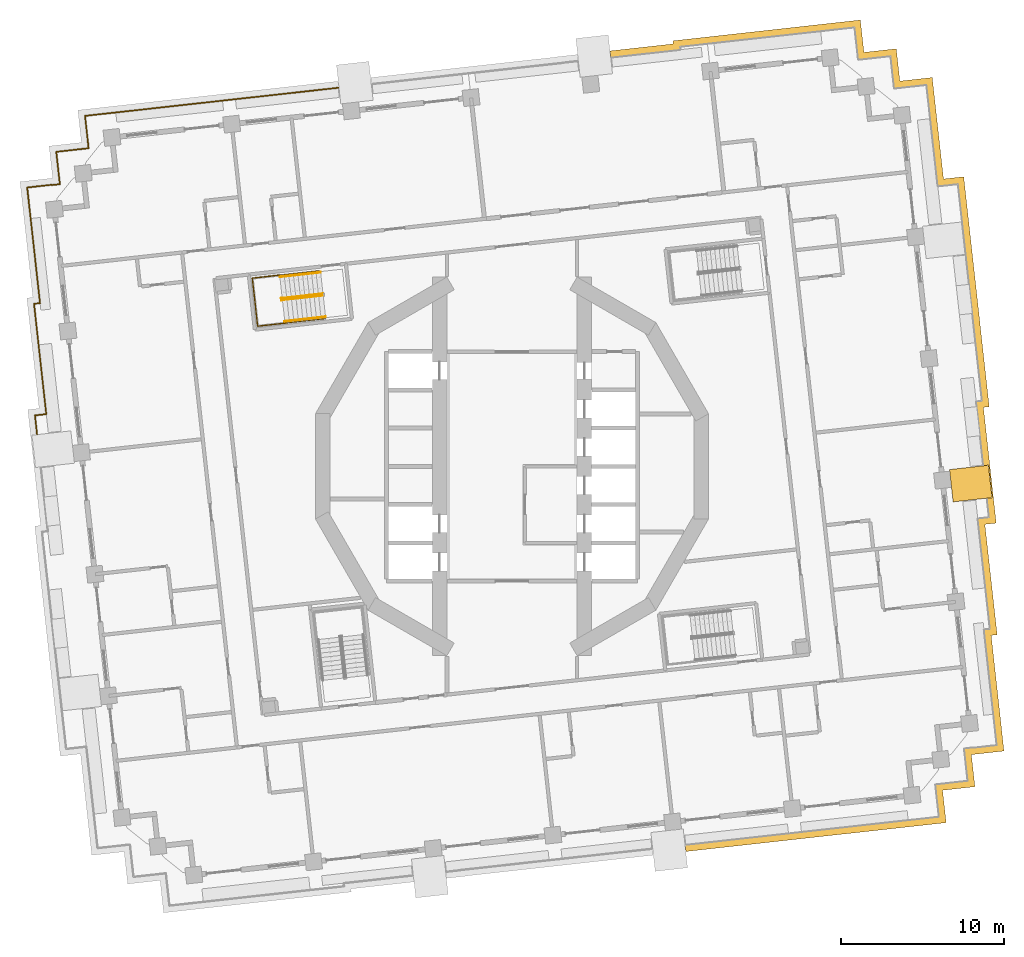
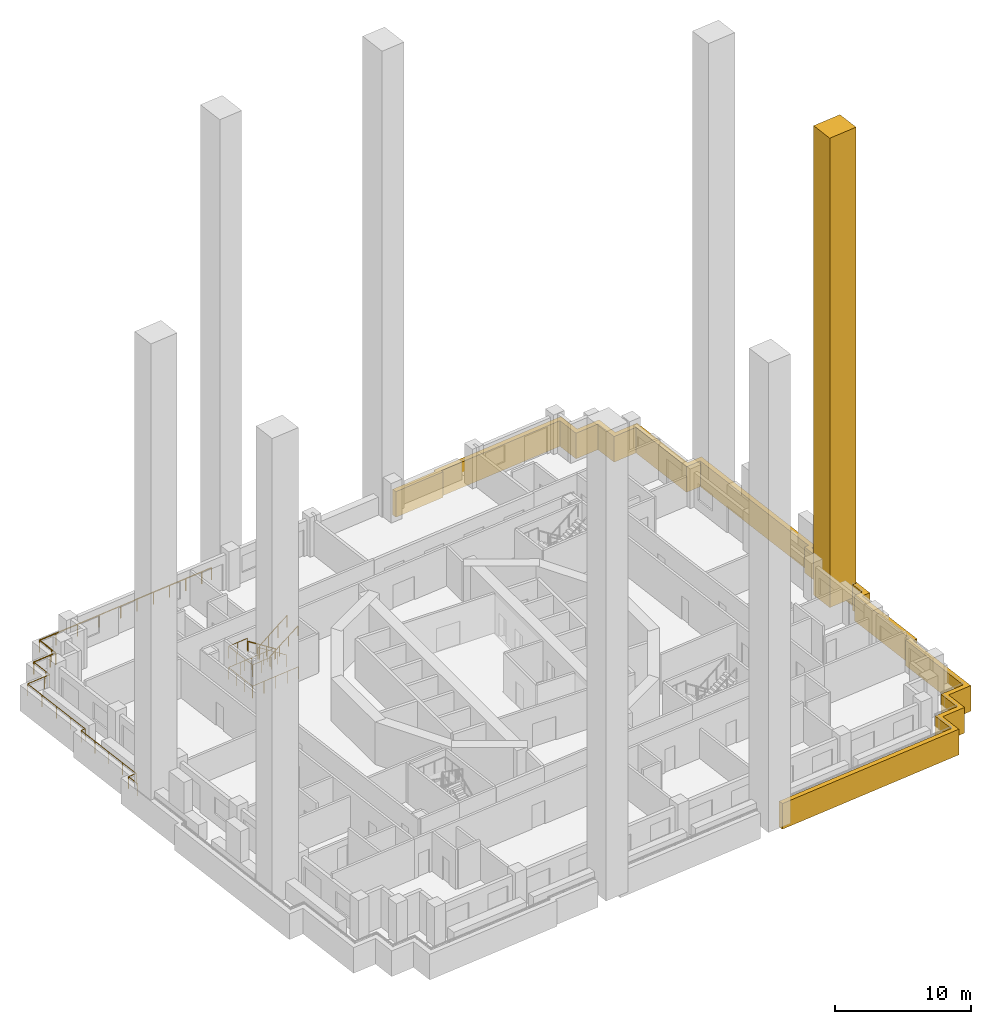
# One storey, part 15 of 20: 8 railings, 2 coverings.
"""IFC4 building model written with IfcOpenShell, lengths in metres."""

from ifc_helpers import new_model, si_unit, direction, frame, origin, origin_2d, place, context, subcontext, project, spatial, polyline, rectangle, circle, outline, extrude, material, type_object, element, save


model = new_model("IFC4")

# Units and contexts
model_context = context("Model", 3, precision=1e-05, world=origin(), true_north=direction((0.0, 1.0)))
body_context = subcontext(model_context, "Body", "Model", "MODEL_VIEW")
ifc_project = project(units=[si_unit("LENGTHUNIT", "METRE"), si_unit("AREAUNIT", "SQUARE_METRE"), si_unit("VOLUMEUNIT", "CUBIC_METRE"), si_unit("PLANEANGLEUNIT", "RADIAN"), si_unit("MASSUNIT", "GRAM", prefix="KILO")], contexts=[model_context])

# Site, building, storey
site_placement = place(None, origin())
site = spatial("IfcSite", under=ifc_project, at=site_placement, CompositionType="ELEMENT")
building_placement = place(site_placement, origin())
building = spatial("IfcBuilding", under=site, at=building_placement, Name="Cantera Rosa Tower", CompositionType="ELEMENT")
storey_placement = place(building_placement, frame((0.0, 0.0, 42.5)))
storey = spatial("IfcBuildingStorey", under=building, at=storey_placement, Name="L07", CompositionType="ELEMENT", Elevation=42.5)

# Railings
ifc_material_1 = material(Name="Stainless steel and laminated glass", Category="steel")
railing_type_1 = type_object("IfcRailingType", Name="GUARD 1100", PredefinedType="BALUSTRADE", material=ifc_material_1)
railing_1_placement = place(storey_placement, frame((-28.003173828125, 19.328857421875, 0.0)))
element("IfcRailing", 1, at=railing_1_placement, inside=storey, type_object=railing_type_1, Name="GUARD L07-3", PredefinedType="BALUSTRADE", context=body_context, shape_type="SweptSolid", body=[
    extrude(circle(Radius=0.030029296875, at=origin_2d()), frame((0.0, 0.0, 1.070068359375), z_axis=(0.993893654236, 0.110342213455, 0.0), x_axis=(-0.110342213455, 0.993893654236, 0.0)), (0.0, 0.0, 1.0), 1.500244140625),
    extrude(circle(Radius=0.030029296875, at=origin_2d()), frame((1.490966796875, 0.16552734375, 1.070068359375), z_axis=(0.9938896893, 0.110377921269, 0.0), x_axis=(-0.110377921269, 0.9938896893, 0.0)), (0.0, 0.0, 1.0), 0.5),
    extrude(circle(Radius=0.030029296875, at=origin_2d()), frame((1.98779296875, 0.220703125, 1.070068359375), z_axis=(-0.110377921269, 0.9938896893, 0.0), x_axis=(-0.9938896893, -0.110377921269, 0.0)), (0.0, 0.0, 1.0), 0.5),
    extrude(circle(Radius=0.030029296875, at=origin_2d()), frame((1.9326171875, 0.717529296875, 1.070068359375), z_axis=(-0.110181444005, 0.99391148972, 0.0), x_axis=(-0.99391148972, -0.110181444005, 0.0)), (0.0, 0.0, 1.0), 1.5),
    extrude(circle(Radius=0.030029296875, at=origin_2d()), frame((1.767333984375, 2.20849609375, 1.070068359375), z_axis=(0.993909513469, 0.110199269672, 0.0), x_axis=(-0.110199269672, 0.993909513469, 0.0)), (0.0, 0.0, 1.0), 1.499755859375),
    extrude(circle(Radius=0.030029296875, at=origin_2d()), frame((3.258056640625, 2.373779296875, 1.070068359375), z_axis=(0.993896343916, 0.1103179838, 0.0), x_axis=(-0.1103179838, 0.993896343916, 0.0)), (0.0, 0.0, 1.0), 5.900146484375),
    extrude(circle(Radius=0.030029296875, at=origin_2d()), frame((9.1220703125, 3.024658203125, 1.070068359375), z_axis=(0.993892663362, 0.110351138256, 0.0), x_axis=(-0.110351138256, 0.993892663362, 0.0)), (0.0, 0.0, 1.0), 3.0),
    extrude(circle(Radius=0.030029296875, at=origin_2d()), frame((12.103759765625, 3.355712890625, 1.070068359375), z_axis=(0.993897260817, 0.110309722784, 0.0), x_axis=(-0.110309722784, 0.993897260817, 0.0)), (0.0, 0.0, 1.0), 4.39990234375),
    extrude(circle(Radius=0.030029296875, at=origin_2d()), frame((16.476806640625, 3.841064453125, 1.070068359375), z_axis=(0.993900832769, 0.110277534522, 0.0), x_axis=(-0.110277534522, 0.993900832769, 0.0)), (0.0, 0.0, 1.0), 0.8701171875),
    extrude(circle(Radius=0.02490234375, at=origin_2d()), origin(), (0.0, 0.0, 1.0), 1.0400390625),
    extrude(circle(Radius=0.02490234375, at=origin_2d()), frame((1.490966796875, 0.16552734375, 0.0)), (0.0, 0.0, 1.0), 1.0400390625),
    extrude(circle(Radius=0.02490234375, at=origin_2d()), frame((1.98779296875, 0.220703125, 0.0)), (0.0, 0.0, 1.0), 1.0400390625),
    extrude(circle(Radius=0.02490234375, at=origin_2d()), frame((1.9326171875, 0.717529296875, 0.0)), (0.0, 0.0, 1.0), 1.0400390625),
    extrude(circle(Radius=0.02490234375, at=origin_2d()), frame((1.767333984375, 2.20849609375, 0.0)), (0.0, 0.0, 1.0), 1.0400390625),
    extrude(circle(Radius=0.02490234375, at=origin_2d()), frame((3.258056640625, 2.373779296875, 0.0)), (0.0, 0.0, 1.0), 1.0400390625),
    extrude(circle(Radius=0.02490234375, at=origin_2d()), frame((5.212646484375, 2.5908203125, 0.0)), (0.0, 0.0, 1.0), 1.0400390625),
    extrude(circle(Radius=0.02490234375, at=origin_2d()), frame((7.16748046875, 2.8076171875, 0.0)), (0.0, 0.0, 1.0), 1.0400390625),
    extrude(circle(Radius=0.02490234375, at=origin_2d()), frame((9.1220703125, 3.024658203125, 0.0)), (0.0, 0.0, 1.0), 1.0400390625),
    extrude(circle(Radius=0.02490234375, at=origin_2d()), frame((10.61279296875, 3.190185546875, 0.0)), (0.0, 0.0, 1.0), 1.0400390625),
    extrude(circle(Radius=0.02490234375, at=origin_2d()), frame((12.103759765625, 3.355712890625, 0.0)), (0.0, 0.0, 1.0), 1.0400390625),
    extrude(circle(Radius=0.02490234375, at=origin_2d()), frame((13.5615234375, 3.517578125, 0.0)), (0.0, 0.0, 1.0), 1.0400390625),
    extrude(circle(Radius=0.02490234375, at=origin_2d()), frame((15.01904296875, 3.67919921875, 0.0)), (0.0, 0.0, 1.0), 1.0400390625),
    extrude(circle(Radius=0.02490234375, at=origin_2d()), frame((16.476806640625, 3.841064453125, 0.0)), (0.0, 0.0, 1.0), 1.0400390625),
    extrude(circle(Radius=0.02490234375, at=origin_2d()), frame((17.341552734375, 3.93701171875, 0.0)), (0.0, 0.0, 1.0), 1.0400390625),
])
railing_2_placement = place(storey_placement, frame((-29.184326171875, 1.982666015625, 0.0)))
element("IfcRailing", 2, at=railing_2_placement, inside=storey, type_object=railing_type_1, Name="GUARD L07-4", PredefinedType="BALUSTRADE", context=body_context, shape_type="SweptSolid", body=[
    extrude(circle(Radius=0.030029296875, at=origin_2d()), frame((0.0, 0.0, 1.070068359375), z_axis=(-0.110315771706, 0.993896589446, 0.0), x_axis=(-0.993896589446, -0.110315771706, 0.0)), (0.0, 0.0, 1.0), 1.157470703125),
    extrude(circle(Radius=0.030029296875, at=origin_2d()), frame((-0.127685546875, 1.150390625, 1.070068359375), z_axis=(0.993892249382, 0.110354866762, 0.0), x_axis=(-0.110354866762, 0.993892249382, 0.0)), (0.0, 0.0, 1.0), 0.698974609375),
    extrude(circle(Radius=0.030029296875, at=origin_2d()), frame((0.567138671875, 1.2275390625, 1.070068359375), z_axis=(-0.11030974647, 0.993897258188, 0.0), x_axis=(-0.993897258188, -0.11030974647, 0.0)), (0.0, 0.0, 1.0), 6.8212890625),
    extrude(circle(Radius=0.030029296875, at=origin_2d()), frame((-0.185302734375, 8.007080078125, 1.070068359375), z_axis=(0.993947743224, 0.109853919999, 0.0), x_axis=(-0.109853919999, 0.993947743224, 0.0)), (0.0, 0.0, 1.0), 0.37109375),
    extrude(circle(Radius=0.030029296875, at=origin_2d()), frame((0.18359375, 8.0478515625, 1.070068359375), z_axis=(-0.110307831849, 0.993897470684, 0.0), x_axis=(-0.993897470684, -0.110307831849, 0.0)), (0.0, 0.0, 1.0), 7.14892578125),
    extrude(circle(Radius=0.030029296875, at=origin_2d()), frame((-0.60498046875, 15.153076171875, 1.070068359375), z_axis=(0.993907259084, 0.11021960053, 0.0), x_axis=(-0.11021960053, 0.993907259084, 0.0)), (0.0, 0.0, 1.0), 1.517333984375),
    extrude(circle(Radius=0.030029296875, at=origin_2d()), frame((0.903076171875, 15.3203125, 1.070068359375), z_axis=(0.099503719021, -0.99503719021, 0.0), x_axis=(0.99503719021, 0.099503719021, 0.0)), (0.0, 0.0, 1.0), 0.01708984375),
    extrude(circle(Radius=0.030029296875, at=origin_2d()), frame((0.90478515625, 15.30322265625, 1.070068359375), z_axis=(0.993895635261, 0.110324368158, 0.0), x_axis=(-0.110324368158, 0.993895635261, 0.0)), (0.0, 0.0, 1.0), 0.500244140625),
    extrude(circle(Radius=0.030029296875, at=origin_2d()), frame((1.40185546875, 15.3583984375, 1.070068359375), z_axis=(-0.110324368158, 0.993895635261, 0.0), x_axis=(-0.993895635261, -0.110324368158, 0.0)), (0.0, 0.0, 1.0), 0.500244140625),
    extrude(circle(Radius=0.030029296875, at=origin_2d()), frame((1.3466796875, 15.85546875, 1.070068359375), z_axis=(-0.110360064491, 0.993891672249, 0.0), x_axis=(-0.993891672249, -0.110360064491, 0.0)), (0.0, 0.0, 1.0), 1.5),
    extrude(circle(Radius=0.02490234375, at=origin_2d()), origin(), (0.0, 0.0, 1.0), 1.0400390625),
    extrude(circle(Radius=0.02490234375, at=origin_2d()), frame((-0.127685546875, 1.150390625, 0.0)), (0.0, 0.0, 1.0), 1.0400390625),
    extrude(circle(Radius=0.02490234375, at=origin_2d()), frame((0.567138671875, 1.2275390625, 0.0)), (0.0, 0.0, 1.0), 1.0400390625),
    extrude(circle(Radius=0.02490234375, at=origin_2d()), frame((0.37890625, 2.92236328125, 0.0)), (0.0, 0.0, 1.0), 1.0400390625),
    extrude(circle(Radius=0.02490234375, at=origin_2d()), frame((0.19091796875, 4.6171875, 0.0)), (0.0, 0.0, 1.0), 1.0400390625),
    extrude(circle(Radius=0.02490234375, at=origin_2d()), frame((0.0029296875, 6.312255859375, 0.0)), (0.0, 0.0, 1.0), 1.0400390625),
    extrude(circle(Radius=0.02490234375, at=origin_2d()), frame((-0.185302734375, 8.007080078125, 0.0)), (0.0, 0.0, 1.0), 1.0400390625),
    extrude(circle(Radius=0.02490234375, at=origin_2d()), frame((0.18359375, 8.0478515625, 0.0)), (0.0, 0.0, 1.0), 1.0400390625),
    extrude(circle(Radius=0.02490234375, at=origin_2d()), frame((-0.013671875, 9.82421875, 0.0)), (0.0, 0.0, 1.0), 1.0400390625),
    extrude(circle(Radius=0.02490234375, at=origin_2d()), frame((-0.210693359375, 11.6005859375, 0.0)), (0.0, 0.0, 1.0), 1.0400390625),
    extrude(circle(Radius=0.02490234375, at=origin_2d()), frame((-0.40771484375, 13.376708984375, 0.0)), (0.0, 0.0, 1.0), 1.0400390625),
    extrude(circle(Radius=0.02490234375, at=origin_2d()), frame((-0.60498046875, 15.153076171875, 0.0)), (0.0, 0.0, 1.0), 1.0400390625),
    extrude(circle(Radius=0.02490234375, at=origin_2d()), frame((0.903076171875, 15.3203125, 0.0)), (0.0, 0.0, 1.0), 1.0400390625),
    extrude(circle(Radius=0.02490234375, at=origin_2d()), frame((0.90478515625, 15.30322265625, 0.0)), (0.0, 0.0, 1.0), 1.0400390625),
    extrude(circle(Radius=0.02490234375, at=origin_2d()), frame((1.40185546875, 15.3583984375, 0.0)), (0.0, 0.0, 1.0), 1.0400390625),
    extrude(circle(Radius=0.02490234375, at=origin_2d()), frame((1.3466796875, 15.85546875, 0.0)), (0.0, 0.0, 1.0), 1.0400390625),
    extrude(circle(Radius=0.02490234375, at=origin_2d()), frame((1.18115234375, 17.34619140625, 0.0)), (0.0, 0.0, 1.0), 1.0400390625),
])
ifc_material_2 = material(Name="Steel S355J2 (EN 10025-2)", Category="steel")
railing_type_2 = type_object("IfcRailingType", Name="STAIR GUARD 1100", PredefinedType="GUARDRAIL", material=ifc_material_2)
railing_3_placement = place(storey_placement, frame((-11.614013671875, 10.60302734375, 0.18994140625)))
element("IfcRailing", 3, at=railing_3_placement, inside=storey, type_object=railing_type_2, Name="L07 ST-12 stair guard 1", PredefinedType="GUARDRAIL", context=body_context, shape_type="SweptSolid", body=[
    extrude(circle(Radius=0.02392578125, at=origin_2d()), frame((0.0, 0.0, 1.076171875), z_axis=(-0.822437355244, -0.09123050105, 0.561492468674), x_axis=(0.110250758185, -0.993903803353, 0.0)), (0.0, 0.0, 1.0), 3.04541015625),
    extrude(circle(Radius=0.02392578125, at=origin_2d()), frame((-2.504638671875, -0.27783203125, 2.7861328125), z_axis=(-0.932897555956, 0.360141847183, 0.0), x_axis=(-0.360141847183, -0.932897555956, 0.0)), (0.0, 0.0, 1.0), 0.05615234375),
    extrude(circle(Radius=0.02392578125, at=origin_2d()), frame((-2.55712890625, -0.257568359375, 2.7861328125), z_axis=(0.110610055588, -0.993863881828, 0.0), x_axis=(0.993863881828, 0.110610055588, 0.0)), (0.0, 0.0, 1.0), 0.150146484375),
    extrude(circle(Radius=0.02099609375, at=origin_2d()), origin(), (0.0, 0.0, 1.0), 1.052001953125),
    extrude(circle(Radius=0.02099609375, at=origin_2d()), frame((-0.8349609375, -0.092529296875, 0.570068359375)), (0.0, 0.0, 1.0), 1.052001953125),
    extrude(circle(Radius=0.02099609375, at=origin_2d()), frame((-1.669677734375, -0.185302734375, 1.139892578125)), (0.0, 0.0, 1.0), 1.052001953125),
    extrude(circle(Radius=0.02099609375, at=origin_2d()), frame((-2.504638671875, -0.27783203125, 1.7099609375)), (0.0, 0.0, 1.0), 1.052001953125),
    extrude(circle(Radius=0.02099609375, at=origin_2d()), frame((-2.55712890625, -0.257568359375, 1.7099609375)), (0.0, 0.0, 1.0), 1.052001953125),
    extrude(circle(Radius=0.02099609375, at=origin_2d()), frame((-2.54052734375, -0.40673828125, 1.7099609375)), (0.0, 0.0, 1.0), 1.052001953125),
])
railing_4_placement = place(storey_placement, frame((-14.107666015625, 10.227783203125, 2.090087890625)))
element("IfcRailing", 4, at=railing_4_placement, inside=storey, type_object=railing_type_2, Name="L07 ST-12 stair guard 2", PredefinedType="GUARDRAIL", context=body_context, shape_type="SweptSolid", body=[
    extrude(circle(Radius=0.02392578125, at=origin_2d()), frame((0.0, 0.0, 1.076171875), z_axis=(0.822437355244, 0.09123050105, 0.561492468674), x_axis=(-0.110250758185, 0.993903803353, 0.0)), (0.0, 0.0, 1.0), 3.04541015625),
    extrude(circle(Radius=0.02099609375, at=origin_2d()), origin(), (0.0, 0.0, 1.0), 1.052001953125),
    extrude(circle(Radius=0.02099609375, at=origin_2d()), frame((0.8349609375, 0.092529296875, 0.570068359375)), (0.0, 0.0, 1.0), 1.052001953125),
    extrude(circle(Radius=0.02099609375, at=origin_2d()), frame((1.669677734375, 0.185302734375, 1.139892578125)), (0.0, 0.0, 1.0), 1.052001953125),
    extrude(circle(Radius=0.02099609375, at=origin_2d()), frame((2.504638671875, 0.27783203125, 1.7099609375)), (0.0, 0.0, 1.0), 1.052001953125),
])
railing_5_placement = place(storey_placement, frame((-11.7841796875, 12.029052734375, 0.0)))
element("IfcRailing", 5, at=railing_5_placement, inside=storey, type_object=railing_type_2, Name="L07 ST-12 stair guard 4", PredefinedType="GUARDRAIL", context=body_context, shape_type="SweptSolid", body=[
    extrude(circle(Radius=0.02392578125, at=origin_2d()), frame((0.0, 0.0, 1.076171875), z_axis=(-0.9938957856, -0.110323013767, 0.0), x_axis=(0.110323013767, -0.9938957856, 0.0)), (0.0, 0.0, 1.0), 4.197998046875),
    extrude(circle(Radius=0.02392578125, at=origin_2d()), frame((-4.17236328125, -0.463134765625, 1.076171875), z_axis=(0.11023303584, -0.99390576908, 0.0), x_axis=(0.99390576908, 0.11023303584, 0.0)), (0.0, 0.0, 1.0), 2.969970703125),
    extrude(circle(Radius=0.02392578125, at=origin_2d()), frame((-3.844970703125, -3.4150390625, 1.076171875), z_axis=(0.993896493372, 0.11031663729, 0.0), x_axis=(-0.11031663729, 0.993896493372, 0.0)), (0.0, 0.0, 1.0), 4.1982421875),
    extrude(circle(Radius=0.02099609375, at=origin_2d()), origin(), (0.0, 0.0, 1.0), 1.052001953125),
    extrude(circle(Radius=0.02099609375, at=origin_2d()), frame((-1.04296875, -0.11572265625, 0.0)), (0.0, 0.0, 1.0), 1.052001953125),
    extrude(circle(Radius=0.02099609375, at=origin_2d()), frame((-2.086181640625, -0.2314453125, 0.0)), (0.0, 0.0, 1.0), 1.052001953125),
    extrude(circle(Radius=0.02099609375, at=origin_2d()), frame((-3.12939453125, -0.347412109375, 0.0)), (0.0, 0.0, 1.0), 1.052001953125),
    extrude(circle(Radius=0.02099609375, at=origin_2d()), frame((-4.17236328125, -0.463134765625, 0.0)), (0.0, 0.0, 1.0), 1.052001953125),
    extrude(circle(Radius=0.02099609375, at=origin_2d()), frame((-4.063232421875, -1.447021484375, 0.0)), (0.0, 0.0, 1.0), 1.052001953125),
    extrude(circle(Radius=0.02099609375, at=origin_2d()), frame((-3.9541015625, -2.43115234375, 0.0)), (0.0, 0.0, 1.0), 1.052001953125),
    extrude(circle(Radius=0.02099609375, at=origin_2d()), frame((-3.844970703125, -3.4150390625, 0.0)), (0.0, 0.0, 1.0), 1.052001953125),
    extrude(circle(Radius=0.02099609375, at=origin_2d()), frame((-2.8017578125, -3.29931640625, 0.0)), (0.0, 0.0, 1.0), 1.052001953125),
    extrude(circle(Radius=0.02099609375, at=origin_2d()), frame((-1.7587890625, -3.18359375, 0.0)), (0.0, 0.0, 1.0), 1.052001953125),
    extrude(circle(Radius=0.02099609375, at=origin_2d()), frame((-0.715576171875, -3.067626953125, 0.0)), (0.0, 0.0, 1.0), 1.052001953125),
    extrude(circle(Radius=0.02099609375, at=origin_2d()), frame((0.32763671875, -2.951904296875, 0.0)), (0.0, 0.0, 1.0), 1.052001953125),
])
railing_6_placement = place(storey_placement, frame((-14.26513671875, 11.753662109375, 1.89990234375)))
element("IfcRailing", 6, at=railing_6_placement, inside=storey, type_object=railing_type_2, Name="L07 ST-12 stair guard 5", PredefinedType="GUARDRAIL", context=body_context, shape_type="SweptSolid", body=[
    extrude(circle(Radius=0.02392578125, at=origin_2d()), frame((0.0, 0.0, 1.076171875), z_axis=(-0.99389597521, -0.110321305562, 0.0), x_axis=(0.110321305562, -0.99389597521, 0.0)), (0.0, 0.0, 1.0), 1.701904296875),
    extrude(circle(Radius=0.02392578125, at=origin_2d()), frame((-1.69140625, -0.187744140625, 1.076171875), z_axis=(0.11023303584, -0.99390576908, 0.0), x_axis=(0.99390576908, 0.11023303584, 0.0)), (0.0, 0.0, 1.0), 2.969970703125),
    extrude(circle(Radius=0.02392578125, at=origin_2d()), frame((-1.364013671875, -3.1396484375, 1.076171875), z_axis=(0.993897720867, 0.110305577623, 0.0), x_axis=(-0.110305577623, 0.993897720867, 0.0)), (0.0, 0.0, 1.0), 1.7021484375),
    extrude(circle(Radius=0.02099609375, at=origin_2d()), origin(), (0.0, 0.0, 1.0), 1.052001953125),
    extrude(circle(Radius=0.02099609375, at=origin_2d()), frame((-0.845703125, -0.09375, 0.0)), (0.0, 0.0, 1.0), 1.052001953125),
    extrude(circle(Radius=0.02099609375, at=origin_2d()), frame((-1.69140625, -0.187744140625, 0.0)), (0.0, 0.0, 1.0), 1.052001953125),
    extrude(circle(Radius=0.02099609375, at=origin_2d()), frame((-1.582275390625, -1.171630859375, 0.0)), (0.0, 0.0, 1.0), 1.052001953125),
    extrude(circle(Radius=0.02099609375, at=origin_2d()), frame((-1.47314453125, -2.15576171875, 0.0)), (0.0, 0.0, 1.0), 1.052001953125),
    extrude(circle(Radius=0.02099609375, at=origin_2d()), frame((-1.364013671875, -3.1396484375, 0.0)), (0.0, 0.0, 1.0), 1.052001953125),
    extrude(circle(Radius=0.02099609375, at=origin_2d()), frame((-0.51806640625, -3.0458984375, 0.0)), (0.0, 0.0, 1.0), 1.052001953125),
    extrude(circle(Radius=0.02099609375, at=origin_2d()), frame((0.32763671875, -2.951904296875, 0.0)), (0.0, 0.0, 1.0), 1.052001953125),
])
ifc_material_3 = material(Name="Steel S355J2 (EN 10025-2)", Category="steel")
railing_type_3 = type_object("IfcRailingType", Name="STAIR HANDRAIL 900", PredefinedType="HANDRAIL", material=ifc_material_3)
railing_7_placement = place(storey_placement, frame((-11.76025390625, 11.921142578125, 0.18994140625)))
element("IfcRailing", 7, at=railing_7_placement, inside=storey, type_object=railing_type_3, Name="L07 ST-12 stair handrail 1", PredefinedType="HANDRAIL", context=body_context, shape_type="SweptSolid", body=[
    extrude(circle(Radius=0.02392578125, at=origin_2d()), frame((0.0, 0.0, 0.8759765625), z_axis=(-0.822431337597, -0.091310000343, 0.561488360321), x_axis=(0.110346460196, -0.993893182753, 0.0)), (0.0, 0.0, 1.0), 3.04541015625),
    extrude(circle(Radius=0.02099609375, at=origin_2d()), origin(), (0.0, 0.0, 1.0), 0.851806640625),
    extrude(circle(Radius=0.02099609375, at=origin_2d()), frame((-0.8349609375, -0.0927734375, 0.570068359375)), (0.0, 0.0, 1.0), 0.851806640625),
    extrude(circle(Radius=0.02099609375, at=origin_2d()), frame((-1.669677734375, -0.185302734375, 1.139892578125)), (0.0, 0.0, 1.0), 0.851806640625),
    extrude(circle(Radius=0.02099609375, at=origin_2d()), frame((-2.504638671875, -0.278076171875, 1.7099609375)), (0.0, 0.0, 1.0), 0.851806640625),
])
railing_8_placement = place(storey_placement, frame((-13.96142578125, 8.909912109375, 2.090087890625)))
element("IfcRailing", 8, at=railing_8_placement, inside=storey, type_object=railing_type_3, Name="L07 ST-12 stair handrail 2", PredefinedType="HANDRAIL", context=body_context, shape_type="SweptSolid", body=[
    extrude(circle(Radius=0.02392578125, at=origin_2d()), frame((0.0, 0.0, 0.8759765625), z_axis=(0.822437355244, 0.09123050105, 0.561492468674), x_axis=(-0.110250758185, 0.993903803353, 0.0)), (0.0, 0.0, 1.0), 3.04541015625),
    extrude(circle(Radius=0.02099609375, at=origin_2d()), origin(), (0.0, 0.0, 1.0), 0.851806640625),
    extrude(circle(Radius=0.02099609375, at=origin_2d()), frame((0.8349609375, 0.092529296875, 0.570068359375)), (0.0, 0.0, 1.0), 0.851806640625),
    extrude(circle(Radius=0.02099609375, at=origin_2d()), frame((1.669677734375, 0.185302734375, 1.139892578125)), (0.0, 0.0, 1.0), 0.851806640625),
    extrude(circle(Radius=0.02099609375, at=origin_2d()), frame((2.504638671875, 0.27783203125, 1.7099609375)), (0.0, 0.0, 1.0), 0.851806640625),
])

# Coverings
ifc_material_4 = material(Name="Cantera stone", Category="masonry")
covering_type_1 = type_object("IfcCoveringType", Name="STONE FIN 2000x2400", PredefinedType="CLADDING", material=ifc_material_4)
covering_1_placement = place(storey_placement, frame((28.188720703125, -1.056884765625, -0.300048828125), z_axis=(0.0, 0.0, 1.0), x_axis=(-0.110312555526, 0.993896946415, 0.0)))
element("IfcCovering", 9, at=covering_1_placement, inside=storey, type_object=covering_type_1, Name="STONE FIN FN-Z1-01", PredefinedType="CLADDING", context=body_context, shape_type="SweptSolid", body=[
    extrude(rectangle(XDim=2.0, YDim=2.39990234375, at=origin_2d()), origin(), (0.0, 0.0, 1.0), 42.10009765625),
])
ifc_material_5 = material(Name="Cantera stone", Category="masonry")
covering_type_2 = type_object("IfcCoveringType", Name="TRAY FASCIA 400", PredefinedType="CLADDING", material=ifc_material_5)
covering_2_placement = place(storey_placement, frame((0.0, 0.0, -1.39990234375)))
element("IfcCovering", 10, at=covering_2_placement, inside=storey, type_object=covering_type_2, Name="TRAY FASCIA L07-04", PredefinedType="CLADDING", context=body_context, shape_type="SweptSolid", body=[
    extrude(outline(polyline([(9.896728515625, 25.9599609375), (9.875732421875, 26.14892578125), (19.317626953125, 27.197021484375), (21.405029296875, 27.4287109375), (21.62548828125, 25.44091796875), (23.61328125, 25.661376953125), (23.833984375, 23.673583984375), (25.82177734375, 23.894287109375), (26.053466796875, 21.80712890625), (26.513427734375, 17.661865234375), (27.755126953125, 17.7998046875), (29.32373046875, 3.667724609375), (28.964111328125, 3.6279296875), (29.753662109375, -3.486572265625), (29.05908203125, -3.563720703125), (29.8115234375, -10.343017578125), (29.4423828125, -10.384033203125), (30.23095703125, -17.489013671875), (28.22607421875, -17.711669921875), (28.235107421875, -17.7939453125), (28.44482421875, -19.682373046875), (26.556396484375, -19.891845703125), (26.45703125, -19.90283203125), (26.468017578125, -20.002197265625), (26.677734375, -21.890625), (24.789306640625, -22.100341796875), (18.92529296875, -22.751220703125), (15.943603515625, -23.08203125), (11.5703125, -23.5673828125), (10.685791015625, -23.665771484375), (10.6416015625, -23.26806640625), (11.5263671875, -23.169921875), (15.8994140625, -22.6845703125), (18.881103515625, -22.353515625), (24.7451171875, -21.70263671875), (26.23583984375, -21.537353515625), (26.070556640625, -20.04638671875), (26.015380859375, -19.549560546875), (26.51220703125, -19.494384765625), (28.003173828125, -19.328857421875), (27.837646484375, -17.838134765625), (27.782470703125, -17.341064453125), (28.279541015625, -17.285888671875), (28.28125, -17.302978515625), (29.789306640625, -17.1357421875), (29.000732421875, -10.030517578125), (29.36962890625, -9.98974609375), (28.6171875, -3.210205078125), (29.31201171875, -3.133056640625), (29.18212890625, -1.962890625), (29.49267578125, -1.928466796875), (29.49365234375, -1.92822265625), (29.49462890625, -1.927978515625), (29.49560546875, -1.927490234375), (29.496337890625, -1.92724609375), (29.497314453125, -1.9267578125), (29.498046875, -1.926025390625), (29.498779296875, -1.92529296875), (29.49951171875, -1.924560546875), (29.5, -1.923828125), (29.50048828125, -1.923095703125), (29.5009765625, -1.922119140625), (29.501220703125, -1.921142578125), (29.50146484375, -1.920166015625), (29.50146484375, -1.919189453125), (29.501708984375, -1.918212890625), (29.50146484375, -1.917236328125), (29.281005859375, 0.070556640625), (29.28076171875, 0.071533203125), (29.280517578125, 0.072509765625), (29.2802734375, 0.0732421875), (29.27978515625, 0.07421875), (29.279296875, 0.074951171875), (29.278564453125, 0.075927734375), (29.278076171875, 0.07666015625), (29.27734375, 0.0771484375), (29.2763671875, 0.077880859375), (29.275634765625, 0.078369140625), (29.274658203125, 0.07861328125), (29.273681640625, 0.0791015625), (29.272705078125, 0.0791015625), (29.271728515625, 0.079345703125), (29.270751953125, 0.079345703125), (29.269775390625, 0.079345703125), (28.959228515625, 0.044921875), (28.5224609375, 3.981201171875), (28.882080078125, 4.021240234375), (27.40185546875, 17.358154296875), (26.16015625, 17.22021484375), (25.65576171875, 21.762939453125), (25.46826171875, 23.45263671875), (23.77880859375, 23.26513671875), (23.48046875, 23.23193359375), (23.447509765625, 23.5302734375), (23.260009765625, 25.2197265625), (21.5703125, 25.0322265625), (21.272216796875, 24.999267578125), (21.239013671875, 25.29736328125), (21.051513671875, 26.987060546875), (19.36181640625, 26.79931640625), (10.3173828125, 25.795654296875), (10.33837890625, 25.606689453125), (6.074462890625, 25.13330078125), (6.030517578125, 25.531005859375), (9.896728515625, 25.9599609375)])), origin(), (0.0, 0.0, 1.0), 2.2998046875),
])

save(model, "model.ifc")
